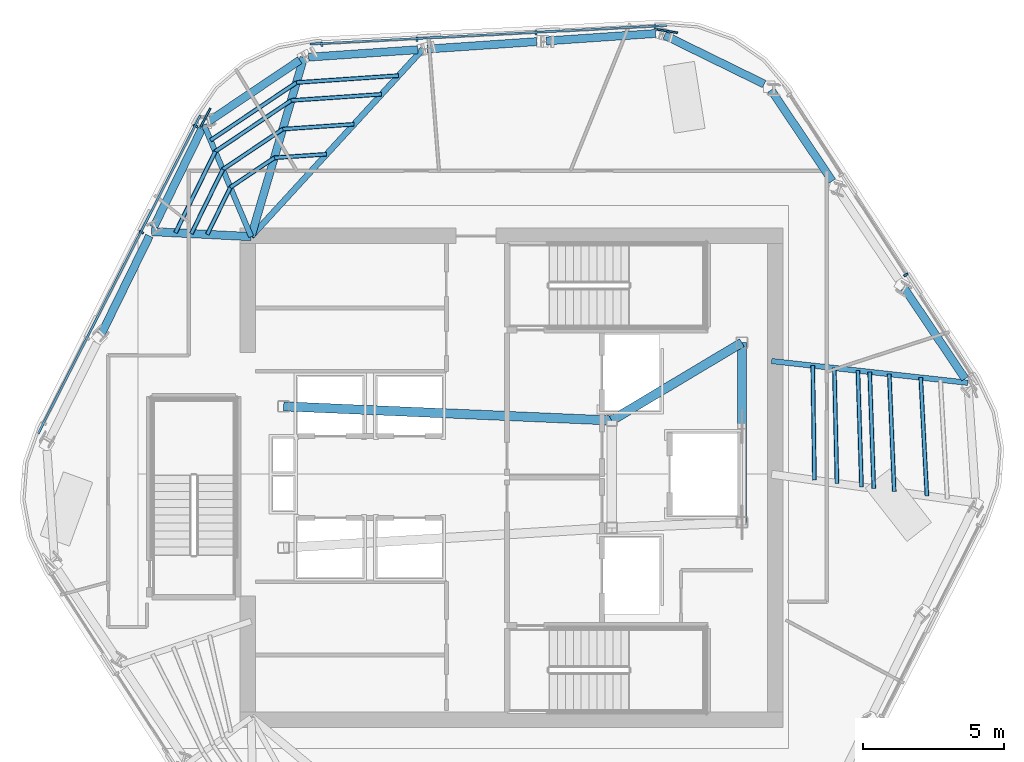
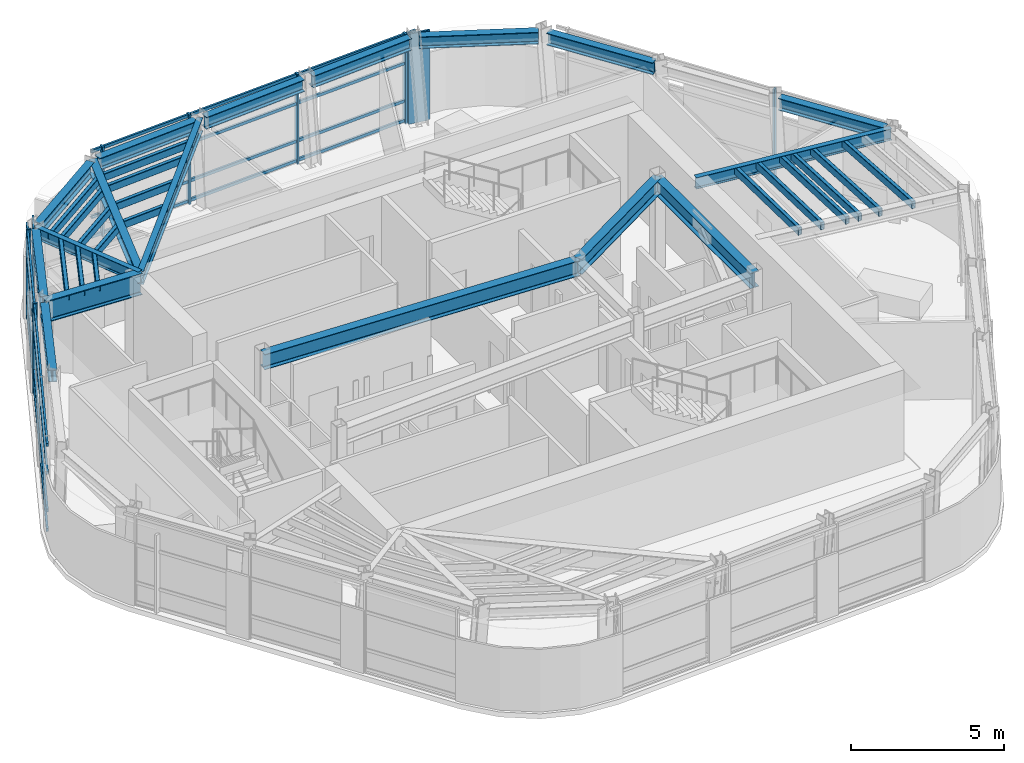
# One storey, part 4 of 13: 34 members, 17 beams, 3 elements without a shape of their own.
"""IFC4 building model written with IfcOpenShell, lengths in metres."""

import ifcopenshell
import ifcopenshell.guid

model = None  # the IFC model being written
_history = None  # IfcOwnerHistory: only IFC2X3 demands one
_inside = {}  # id of a spatial element -> (the spatial element, [elements in it])
_under = {}  # id of a project, library or spatial element -> (it, [spatial elements below it])
_declared = {}  # id of a project -> (the project, [libraries it declares])
_typed = {}  # id of a type object -> (the type object, [elements of that type])
_made_of = {}  # id of a material, layer set ... -> (it, [elements and type objects made of it])


def new_model(schema):
    """Start an empty IFC model of exactly this schema.

    Asked for "IFC4X3", IfcOpenShell would pick the latest addendum, in which some entities
    have other attributes; the version numbers below select the first issue.
    IFC2X3 requires an IfcOwnerHistory on every rooted entity: one is made here for all.
    """
    global model, _history
    if schema == "IFC4X3":
        model = ifcopenshell.file(schema_version=(4, 3, 0, 0))
    else:
        model = ifcopenshell.file(schema=schema)
    _inside.clear()
    _under.clear()
    _declared.clear()
    _typed.clear()
    _made_of.clear()
    _history = None
    if model.schema == "IFC2X3":
        org = make("IfcOrganization", Name="unknown")
        user = make(
            "IfcPersonAndOrganization",
            ThePerson=make("IfcPerson", FamilyName="unknown"),
            TheOrganization=org,
        )
        app = make(
            "IfcApplication",
            ApplicationDeveloper=org,
            Version="unknown",
            ApplicationFullName="unknown",
            ApplicationIdentifier="unknown",
        )
        _history = make(
            "IfcOwnerHistory",
            OwningUser=user,
            OwningApplication=app,
            ChangeAction="ADDED",
            CreationDate=0,
        )
    return model


def make(cls, **values):
    """One entity of the class cls with the attributes given. An attribute that is None is left unset."""
    return model.create_entity(
        cls, **{name: value for name, value in values.items() if value is not None}
    )


def rooted(cls, **values):
    """An entity with a GlobalId (a new one), such as an element, a storey or a relation."""
    return make(cls, GlobalId=ifcopenshell.guid.new(), OwnerHistory=_history, **values)


def si_unit(unit_type, name, prefix=None):
    """IfcSIUnit, for example si_unit("LENGTHUNIT", "METRE", prefix="MILLI")."""
    return make("IfcSIUnit", UnitType=unit_type, Prefix=prefix, Name=name)


def assignment(units):
    """IfcUnitAssignment: the units of a project."""
    return None if units is None else make("IfcUnitAssignment", Units=units)


def point(xyz):
    """IfcCartesianPoint."""
    return None if xyz is None else make("IfcCartesianPoint", Coordinates=xyz)


def direction(xyz):
    """IfcDirection."""
    return None if xyz is None else make("IfcDirection", DirectionRatios=xyz)


def frame(location, z_axis=None, x_axis=None):
    """IfcAxis2Placement3D, a coordinate frame: its origin and axes. An axis left out is left unset."""
    return make(
        "IfcAxis2Placement3D",
        Location=point(location),
        Axis=direction(z_axis),
        RefDirection=direction(x_axis),
    )


def frame_2d(location, x_axis=None):
    """IfcAxis2Placement2D, a coordinate frame in the plane: its origin and x axis."""
    return make(
        "IfcAxis2Placement2D", Location=point(location), RefDirection=direction(x_axis)
    )


def origin():
    """The frame at (0, 0, 0) with its axes left unset."""
    return frame((0.0, 0.0, 0.0))


def origin_2d():
    """The frame at (0, 0) in the plane with its x axis left unset."""
    return frame_2d((0.0, 0.0))


def place(relative_to, where):
    """IfcLocalPlacement: puts the frame where relative to a parent placement (None: the world)."""
    return make(
        "IfcLocalPlacement", PlacementRelTo=relative_to, RelativePlacement=where
    )


def context(
    kind, dimensions, precision=None, world=None, true_north=None, identifier=None
):
    """IfcGeometricRepresentationContext, for example the 3D "Model" context."""
    return make(
        "IfcGeometricRepresentationContext",
        ContextIdentifier=identifier,
        ContextType=kind,
        CoordinateSpaceDimension=dimensions,
        Precision=precision,
        WorldCoordinateSystem=world,
        TrueNorth=true_north,
    )


def subcontext(parent, identifier, kind, view, scale=None):
    """IfcGeometricRepresentationSubContext, for example "Body" below "Model"."""
    return make(
        "IfcGeometricRepresentationSubContext",
        ContextIdentifier=identifier,
        ContextType=kind,
        ParentContext=parent,
        TargetScale=scale,
        TargetView=view,
    )


def project(units=None, contexts=None):
    """IfcProject with its units and contexts."""
    return rooted(
        "IfcProject",
        Name="project",
        RepresentationContexts=contexts,
        UnitsInContext=assignment(units),
    )


def spatial(cls, under=None, at=None, **own):
    """A site, building, storey or space (cls), placed at a placement, below another one or the project."""
    s = rooted(cls, ObjectPlacement=at, **own)
    if under is not None:
        _under.setdefault(under.id(), (under, []))[1].append(s)
    return s


def profile(cls, at=None, kind="AREA", **sizes):
    """A parametric profile (cls). Its sizes go by their IFC names, for example OverallWidth=200.0."""
    return make(cls, ProfileType=kind, Position=at, **sizes)


def rectangle(**sizes):
    """IfcRectangleProfileDef."""
    return profile("IfcRectangleProfileDef", **sizes)


def hollow_rectangle(**sizes):
    """IfcRectangleHollowProfileDef."""
    return profile("IfcRectangleHollowProfileDef", **sizes)


def i_section(**sizes):
    """IfcIShapeProfileDef."""
    return profile("IfcIShapeProfileDef", **sizes)


def extrude(swept, where, along, depth):
    """IfcExtrudedAreaSolid: the profile swept, set in the frame where, extruded along a direction by depth."""
    return make(
        "IfcExtrudedAreaSolid",
        SweptArea=swept,
        Position=where,
        ExtrudedDirection=direction(along),
        Depth=depth,
    )


def shape(context_of_items, identifier, shape_type, items):
    """IfcShapeRepresentation: the items that make up one representation, for example the "Body"."""
    return make(
        "IfcShapeRepresentation",
        ContextOfItems=context_of_items,
        RepresentationIdentifier=identifier,
        RepresentationType=shape_type,
        Items=items,
    )


def material(Name=None, Category=None):
    """IfcMaterial."""
    return make("IfcMaterial", Name=Name, Category=Category)


def layer(
    of_material, thickness, ventilated=None, Name=None, Category=None, Priority=None
):
    """IfcMaterialLayer: one layer of a wall or slab, of a material (None: an air gap)."""
    return make(
        "IfcMaterialLayer",
        Material=of_material,
        LayerThickness=thickness,
        IsVentilated=ventilated,
        Name=Name,
        Category=Category,
        Priority=Priority,
    )


def layer_set(layers, Name=None):
    """IfcMaterialLayerSet."""
    return make("IfcMaterialLayerSet", MaterialLayers=layers, LayerSetName=Name)


def material_profile(
    of_material, cross_section, Name=None, Category=None, Priority=None
):
    """IfcMaterialProfile: a cross section and its material."""
    return make(
        "IfcMaterialProfile",
        Name=Name,
        Material=of_material,
        Profile=cross_section,
        Priority=Priority,
        Category=Category,
    )


def profile_set(profiles, Name=None, composite=None):
    """IfcMaterialProfileSet."""
    return make(
        "IfcMaterialProfileSet",
        Name=Name,
        MaterialProfiles=profiles,
        CompositeProfile=composite,
    )


def made_of(thing, what):
    """Note that an element or type object is made of a material, layer set ...; save() writes the relation."""
    if what is not None:
        _made_of.setdefault(what.id(), (what, []))[1].append(thing)
    return thing


def type_object(cls, material=None, **own):
    """A type object (cls), such as IfcWallType, which elements share."""
    return made_of(rooted(cls, **own), material)


def element(
    cls,
    number,
    at=None,
    inside=None,
    cuts=None,
    type_object=None,
    material=None,
    context=None,
    identifier="Body",
    shape_type=None,
    held_by="IfcProductDefinitionShape",
    body=None,
    shapes=None,
    **own,
):
    """One element of the class cls, such as IfcWall. Its Tag is "e" and its number.

    at: its placement. inside: the storey or other place that contains it. cuts: it is an
    opening in that element (IfcRelVoidsElement). A single representation is given by context,
    identifier, shape_type and body (its items); several are given by shapes. held_by: the class
    of the entity that holds the representations. save() writes the other relations.
    """
    e = rooted(cls, Tag="e%d" % number, ObjectPlacement=at, **own)
    if body is not None:
        shapes = [shape(context, identifier, shape_type, body)]
    if shapes is not None:
        e.Representation = make(held_by, Representations=shapes)
    if inside is not None:
        _inside.setdefault(inside.id(), (inside, []))[1].append(e)
    if cuts is not None:
        rooted(
            "IfcRelVoidsElement", RelatingBuildingElement=cuts, RelatedOpeningElement=e
        )
    if type_object is not None:
        _typed.setdefault(type_object.id(), (type_object, []))[1].append(e)
    return made_of(e, material)


def aggregate(whole, parts):
    """IfcRelAggregates: a whole, such as a stair, and the parts it consists of."""
    return rooted("IfcRelAggregates", RelatingObject=whole, RelatedObjects=parts)


def save(model, path):
    """Write the relations noted so far, then the file.

    IfcRelAggregates (storeys below a building ...), IfcRelContainedInSpatialStructure (elements
    in a storey), IfcRelDefinesByType, IfcRelAssociatesMaterial and IfcRelDeclares: one each for
    every whole, place, type object, material and project.
    """
    for whole, parts in _under.values():
        aggregate(whole, parts)
    for where, things in _inside.values():
        rooted(
            "IfcRelContainedInSpatialStructure",
            RelatedElements=things,
            RelatingStructure=where,
        )
    for kind, things in _typed.values():
        rooted("IfcRelDefinesByType", RelatedObjects=things, RelatingType=kind)
    for what, things in _made_of.values():
        rooted("IfcRelAssociatesMaterial", RelatedObjects=things, RelatingMaterial=what)
    for by, libraries in _declared.values():
        rooted("IfcRelDeclares", RelatingContext=by, RelatedDefinitions=libraries)
    model.write(path)


model = new_model("IFC4")

# Units and contexts
model_context = context("Model", 3, precision=1e-05, world=origin(), true_north=direction((0.0, 1.0)))
body_context = subcontext(model_context, "Body", "Model", "MODEL_VIEW")
ifc_project = project(units=[si_unit("LENGTHUNIT", "METRE"), si_unit("AREAUNIT", "SQUARE_METRE"), si_unit("VOLUMEUNIT", "CUBIC_METRE"), si_unit("PLANEANGLEUNIT", "RADIAN"), si_unit("MASSUNIT", "GRAM", prefix="KILO")], contexts=[model_context])

# Site, building, storey
site_placement = place(None, origin())
site = spatial("IfcSite", under=ifc_project, at=site_placement, CompositionType="ELEMENT")
building_placement = place(site_placement, origin())
building = spatial("IfcBuilding", under=site, at=building_placement, Name="Valkerne Bourse Tower", CompositionType="ELEMENT")
storey_placement = place(building_placement, frame((0.0, 0.0, 296.39990234375)))
storey = spatial("IfcBuildingStorey", under=building, at=storey_placement, Name="L75", CompositionType="ELEMENT", Elevation=296.39990234375)

# Beams
ifc_material_1 = material(Name="Steel ASTM A992", Category="steel")
ifc_material_profile_1 = material_profile(ifc_material_1, i_section(OverallWidth=0.284423828125, OverallDepth=0.47509765625, WebThickness=0.014892578125, FlangeThickness=0.02392578125, FilletRadius=0.017822265625, at=origin_2d()), Name="W18X106")
ifc_profile_set_1 = profile_set([ifc_material_profile_1], Name="Steel ASTM A992")
beam_type_1 = type_object("IfcBeamType", Name="BM-W18X106", PredefinedType="BEAM", material=ifc_profile_set_1)
beam_1_placement = place(storey_placement, frame((51.89990234375, 42.581787109375, 3.362548828125), z_axis=(-0.997682719983, -0.06803815288, 0.0), x_axis=(0.06803815288, -0.997682719983, 0.0)))
element("IfcBeam", 1, at=beam_1_placement, inside=storey, type_object=beam_type_1, Name="L75 Hexagonal Spandrel Ring Beam 00", PredefinedType="BEAM", context=body_context, shape_type="SweptSolid", body=[
    extrude(i_section(OverallWidth=0.284423828125, OverallDepth=0.47509765625, WebThickness=0.014892578125, FlangeThickness=0.02392578125, FilletRadius=0.017822265625, at=origin_2d()), origin(), (0.0, 0.0, 1.0), 3.871826171875),
])
for number, where, z_axis, x_axis, name in (
    (2, (47.69775390625, 42.295166015625, 3.362548828125), (-0.997687289682, -0.067971111564, 0.0), (0.067971111564, -0.997687289682, 0.0), "L75 Hexagonal Spandrel Ring Beam 01"),
    (3, (43.49560546875, 42.0087890625, 3.362548828125), (-0.997683011857, -0.06803387283, 0.0), (0.06803387283, -0.997683011857, 0.0), "L75 Hexagonal Spandrel Ring Beam 02"),
):
    element("IfcBeam", number, at=place(storey_placement, frame(where, z_axis=z_axis, x_axis=x_axis)), inside=storey, type_object=beam_type_1, Name=name, PredefinedType="BEAM", context=body_context, shape_type="SweptSolid", body=[
        extrude(i_section(OverallWidth=0.284423828125, OverallDepth=0.47509765625, WebThickness=0.014892578125, FlangeThickness=0.02392578125, FilletRadius=0.017822265625, at=origin_2d()), origin(), (0.0, 0.0, 1.0), 3.8720703125),
    ])
beam_2_placement = place(storey_placement, frame((39.32177734375, 41.638916015625, 3.362548828125), z_axis=(-0.830020735622, -0.557732533063, 0.0), x_axis=(0.557732533063, -0.830020735622, 0.0)))
element("IfcBeam", 4, at=beam_2_placement, inside=storey, type_object=beam_type_1, Name="L75 Hexagonal Spandrel Ring Beam 03", PredefinedType="BEAM", context=body_context, shape_type="SweptSolid", body=[
    extrude(i_section(OverallWidth=0.284423828125, OverallDepth=0.47509765625, WebThickness=0.014892578125, FlangeThickness=0.02392578125, FilletRadius=0.017822265625, at=origin_2d()), origin(), (0.0, 0.0, 1.0), 3.91552734375),
])
for number, where, z_axis, x_axis, name in (
    (5, (35.855712890625, 39.20751953125, 3.362548828125), (-0.439934908185, -0.898029663519, 0.0), (0.898029663519, -0.439934908185, 0.0), "L75 Hexagonal Spandrel Ring Beam 04"),
    (6, (34.002685546875, 35.425048828125, 3.362548828125), (-0.439934908185, -0.898029663519, 0.0), (0.898029663519, -0.439934908185, 0.0), "L75 Hexagonal Spandrel Ring Beam 05"),
):
    element("IfcBeam", number, at=place(storey_placement, frame(where, z_axis=z_axis, x_axis=x_axis)), inside=storey, type_object=beam_type_1, Name=name, PredefinedType="BEAM", context=body_context, shape_type="SweptSolid", body=[
        extrude(i_section(OverallWidth=0.284423828125, OverallDepth=0.47509765625, WebThickness=0.014892578125, FlangeThickness=0.02392578125, FilletRadius=0.017822265625, at=origin_2d()), origin(), (0.0, 0.0, 1.0), 3.871826171875),
    ])
beam_3_placement = place(storey_placement, frame((62.84423828125, 30.3740234375, 3.362548828125), z_axis=(-0.557752020071, 0.830007640993, 0.0), x_axis=(-0.830007640993, -0.557752020071, 0.0)))
element("IfcBeam", 7, at=beam_3_placement, inside=storey, type_object=beam_type_1, Name="L75 Hexagonal Spandrel Ring Beam 20", PredefinedType="BEAM", context=body_context, shape_type="SweptSolid", body=[
    extrude(i_section(OverallWidth=0.284423828125, OverallDepth=0.47509765625, WebThickness=0.014892578125, FlangeThickness=0.02392578125, FilletRadius=0.017822265625, at=origin_2d()), origin(), (0.0, 0.0, 1.0), 3.8720703125),
])
beam_4_placement = place(storey_placement, frame((58.145751953125, 37.3662109375, 3.362548828125), z_axis=(-0.557781210136, 0.829988024985, 0.0), x_axis=(-0.829988024985, -0.557781210136, 0.0)))
element("IfcBeam", 8, at=beam_4_placement, inside=storey, type_object=beam_type_1, Name="L75 Hexagonal Spandrel Ring Beam 22", PredefinedType="BEAM", context=body_context, shape_type="SweptSolid", body=[
    extrude(i_section(OverallWidth=0.284423828125, OverallDepth=0.47509765625, WebThickness=0.014892578125, FlangeThickness=0.02392578125, FilletRadius=0.017822265625, at=origin_2d()), origin(), (0.0, 0.0, 1.0), 3.871826171875),
])
beam_5_placement = place(storey_placement, frame((55.738525390625, 40.7958984375, 3.362548828125), z_axis=(-0.898014445156, 0.439965971742, 0.0), x_axis=(-0.439965971742, -0.898014445156, 0.0)))
element("IfcBeam", 9, at=beam_5_placement, inside=storey, type_object=beam_type_1, Name="L75 Hexagonal Spandrel Ring Beam 23", PredefinedType="BEAM", context=body_context, shape_type="SweptSolid", body=[
    extrude(i_section(OverallWidth=0.284423828125, OverallDepth=0.47509765625, WebThickness=0.014892578125, FlangeThickness=0.02392578125, FilletRadius=0.017822265625, at=origin_2d()), origin(), (0.0, 0.0, 1.0), 3.91552734375),
])
ifc_material_profile_2 = material_profile(ifc_material_1, i_section(OverallWidth=0.1904296875, OverallDepth=0.457275390625, WebThickness=0.009033203125, FlangeThickness=0.014404296875, FilletRadius=0.01513671875, at=origin_2d()), Name="W18X50")
ifc_profile_set_2 = profile_set([ifc_material_profile_2], Name="Steel ASTM A992")
beam_type_2 = type_object("IfcBeamType", Name="BM-W18X50", PredefinedType="JOIST", material=ifc_profile_set_2)
beam_6_placement = place(storey_placement, frame((35.9306640625, 39.3603515625, 3.37158203125), z_axis=(0.388427733598, -0.921479189006, 0.0), x_axis=(0.921479189006, 0.388427733598, 0.0)))
element("IfcBeam", 10, at=beam_6_placement, inside=storey, type_object=beam_type_2, Name="L75 Radial Composite Floor Beam 04", PredefinedType="JOIST", context=body_context, shape_type="SweptSolid", body=[
    extrude(i_section(OverallWidth=0.1904296875, OverallDepth=0.457275390625, WebThickness=0.009033203125, FlangeThickness=0.014404296875, FilletRadius=0.01513671875, at=origin_2d()), origin(), (0.0, 0.0, 1.0), 4.2978515625),
])
beam_7_placement = place(storey_placement, frame((62.93896484375, 30.23291015625, 3.37158203125), z_axis=(-0.993944993429, 0.109878797036, 0.0), x_axis=(-0.109878797036, -0.993944993429, 0.0)))
element("IfcBeam", 11, at=beam_7_placement, inside=storey, type_object=beam_type_2, Name="L75 Radial Composite Floor Beam 20", PredefinedType="JOIST", context=body_context, shape_type="SweptSolid", body=[
    extrude(i_section(OverallWidth=0.1904296875, OverallDepth=0.457275390625, WebThickness=0.009033203125, FlangeThickness=0.014404296875, FilletRadius=0.01513671875, at=origin_2d()), origin(), (0.0, 0.0, 1.0), 6.981201171875),
])
ifc_material_profile_3 = material_profile(ifc_material_1, i_section(OverallWidth=0.279296875, OverallDepth=0.46240234375, WebThickness=0.0107421875, FlangeThickness=0.017333984375, FilletRadius=0.017822265625, at=origin_2d()), Name="W18X76")
ifc_profile_set_3 = profile_set([ifc_material_profile_3], Name="Steel ASTM A992")
beam_type_3 = type_object("IfcBeamType", Name="BM-W18X76", PredefinedType="BEAM", material=ifc_profile_set_3)
beam_8_placement = place(storey_placement, frame((39.462890625, 41.73388671875, 3.368896484375), z_axis=(-0.282146303698, -0.959371389666, 0.0), x_axis=(0.959371389666, -0.282146303698, 0.0)))
element("IfcBeam", 12, at=beam_8_placement, inside=storey, type_object=beam_type_3, Name="L75 Radial Composite Floor Beam 03", PredefinedType="BEAM", context=body_context, shape_type="SweptSolid", body=[
    extrude(i_section(OverallWidth=0.279296875, OverallDepth=0.46240234375, WebThickness=0.0107421875, FlangeThickness=0.017333984375, FilletRadius=0.017822265625, at=origin_2d()), origin(), (0.0, 0.0, 1.0), 6.602294921875),
])
ifc_material_profile_4 = material_profile(ifc_material_1, i_section(OverallWidth=0.209228515625, OverallDepth=0.533447265625, WebThickness=0.01025390625, FlangeThickness=0.015625, FilletRadius=0.017822265625, at=origin_2d()), Name="W21X62")
ifc_profile_set_4 = profile_set([ifc_material_profile_4], Name="Steel ASTM A992")
beam_type_4 = type_object("IfcBeamType", Name="BM-W21X62", PredefinedType="JOIST", material=ifc_profile_set_4)
beam_9_placement = place(storey_placement, frame((43.6650390625, 42.020263671875, 3.33349609375), z_axis=(-0.675499263955, -0.737360661004, 0.0), x_axis=(0.737360661004, -0.675499263955, 0.0)))
element("IfcBeam", 13, at=beam_9_placement, inside=storey, type_object=beam_type_4, Name="L75 Radial Composite Floor Beam 02", PredefinedType="JOIST", context=body_context, shape_type="SweptSolid", body=[
    extrude(i_section(OverallWidth=0.209228515625, OverallDepth=0.533447265625, WebThickness=0.01025390625, FlangeThickness=0.015625, FilletRadius=0.017822265625, at=origin_2d()), origin(), (0.0, 0.0, 1.0), 8.978515625),
])
ifc_material_profile_5 = material_profile(ifc_material_1, i_section(OverallWidth=0.3251953125, OverallDepth=0.612060546875, WebThickness=0.0126953125, FlangeThickness=0.01904296875, FilletRadius=0.020263671875, at=origin_2d()), Name="W24X104")
ifc_profile_set_5 = profile_set([ifc_material_profile_5], Name="Steel ASTM A992")
beam_type_5 = type_object("IfcBeamType", Name="BM-W24X104", PredefinedType="BEAM", material=ifc_profile_set_5)
beam_10_placement = place(storey_placement, frame((50.35009765625, 28.89990234375, 3.2939453125), z_axis=(0.858307823492, 0.513135148019, 0.0), x_axis=(-0.513135148019, 0.858307823492, 0.0)))
element("IfcBeam", 14, at=beam_10_placement, inside=storey, type_object=beam_type_5, Name="L75 Core Frame Girder CG-NE", PredefinedType="BEAM", context=body_context, shape_type="SweptSolid", body=[
    extrude(i_section(OverallWidth=0.3251953125, OverallDepth=0.612060546875, WebThickness=0.0126953125, FlangeThickness=0.01904296875, FilletRadius=0.020263671875, at=origin_2d()), origin(), (0.0, 0.0, 1.0), 5.359130859375),
])
beam_11_placement = place(storey_placement, frame((54.949951171875, 25.300048828125, 3.2939453125), z_axis=(0.0, 1.0, 0.0), x_axis=(-1.0, 0.0, 0.0)))
element("IfcBeam", 15, at=beam_11_placement, inside=storey, type_object=beam_type_5, Name="L75 Core Frame Girder CG-EE", PredefinedType="BEAM", context=body_context, shape_type="SweptSolid", body=[
    extrude(i_section(OverallWidth=0.3251953125, OverallDepth=0.612060546875, WebThickness=0.0126953125, FlangeThickness=0.01904296875, FilletRadius=0.020263671875, at=origin_2d()), origin(), (0.0, 0.0, 1.0), 6.349853515625),
])
beam_12_placement = place(storey_placement, frame((38.75, 29.39990234375, 3.2939453125), z_axis=(0.999072354402, -0.043063101019, 0.0), x_axis=(0.043063101019, 0.999072354402, 0.0)))
element("IfcBeam", 16, at=beam_12_placement, inside=storey, type_object=beam_type_5, Name="L75 Core Frame Girder CG-NW", PredefinedType="BEAM", context=body_context, shape_type="SweptSolid", body=[
    extrude(i_section(OverallWidth=0.3251953125, OverallDepth=0.612060546875, WebThickness=0.0126953125, FlangeThickness=0.01904296875, FilletRadius=0.020263671875, at=origin_2d()), origin(), (0.0, 0.0, 1.0), 11.61083984375),
])
ifc_material_profile_6 = material_profile(ifc_material_1, i_section(OverallWidth=0.2919921875, OverallDepth=0.8583984375, WebThickness=0.01708984375, FlangeThickness=0.031005859375, FilletRadius=0.025390625, at=origin_2d()), Name="W33X169")
ifc_profile_set_6 = profile_set([ifc_material_profile_6], Name="Steel ASTM A992")
beam_type_6 = type_object("IfcBeamType", Name="BM-W33X169", PredefinedType="BEAM", material=ifc_profile_set_6)
beam_13_placement = place(storey_placement, frame((34.07763671875, 35.577880859375, 3.1708984375), z_axis=(0.998725962489, -0.050462380555, 0.0), x_axis=(0.050462380555, 0.998725962489, 0.0)))
element("IfcBeam", 17, at=beam_13_placement, inside=storey, type_object=beam_type_6, Name="L75 Radial Composite Floor Beam 05", PredefinedType="BEAM", context=body_context, shape_type="SweptSolid", body=[
    extrude(i_section(OverallWidth=0.2919921875, OverallDepth=0.8583984375, WebThickness=0.01708984375, FlangeThickness=0.031005859375, FilletRadius=0.025390625, at=origin_2d()), origin(), (0.0, 0.0, 1.0), 3.52685546875),
])

# Curtain wall, members
ifc_material_2 = material(Name="Aluminium AA 6063-T6", Category="aluminium")
ifc_layer = layer(ifc_material_2, 0.2451171875)
ifc_layer_set = layer_set([ifc_layer], Name="Aluminium AA 6063-T6")
curtain_wall_type = type_object("IfcCurtainWallType", Name="CW-05", PredefinedType="NOTDEFINED", material=ifc_layer_set)
curtain_wall_1_placement = place(storey_placement, origin())
curtain_wall_1 = element("IfcCurtainWall", 18, at=curtain_wall_1_placement, inside=storey, type_object=curtain_wall_type, Name="L75 Hexagonal Stick Curtain Wall Face 1", PredefinedType="NOTDEFINED")
ifc_material_profile_7 = material_profile(ifc_material_2, rectangle(XDim=0.074951171875, YDim=0.159912109375, at=origin_2d()), Name="CWM-75X160")
ifc_profile_set_7 = profile_set([ifc_material_profile_7], Name="Aluminium AA 6063-T6")
member_type_1 = type_object("IfcMemberType", Name="CW-MUL-160X75", PredefinedType="MULLION", material=ifc_profile_set_7)
member_1_placement = place(storey_placement, frame((51.876708984375, 42.826171875, 0.0), z_axis=(0.0, 0.0, 1.0), x_axis=(-0.998628760371, -0.052350730263, 0.0)))
member_1 = element("IfcMember", 19, at=member_1_placement, type_object=member_type_1, Name="CW-L75-F1 Jamb Mullion 00A", PredefinedType="MULLION", context=body_context, shape_type="SweptSolid", body=[
    extrude(rectangle(XDim=0.074951171875, YDim=0.159912109375, at=origin_2d()), origin(), (0.0, 0.0, 1.0), 3.60009765625),
])
member_2_placement = place(storey_placement, frame((47.67041015625, 42.605712890625, 0.0), z_axis=(0.0, 0.0, 1.0), x_axis=(-0.998630066296, -0.05232581285, 0.0)))
member_2 = element("IfcMember", 20, at=member_2_placement, type_object=member_type_1, Name="CW-L75-F1 Jamb Mullion 01A", PredefinedType="MULLION", context=body_context, shape_type="SweptSolid", body=[
    extrude(rectangle(XDim=0.074951171875, YDim=0.159912109375, at=origin_2d()), origin(), (0.0, 0.0, 1.0), 3.60009765625),
])
member_3_placement = place(storey_placement, frame((43.464111328125, 42.38525390625, 0.0), z_axis=(0.0, 0.0, 1.0), x_axis=(-0.99863000129, -0.052327053456, 0.0)))
member_3 = element("IfcMember", 21, at=member_3_placement, type_object=member_type_1, Name="CW-L75-F1 Jamb Mullion 02A", PredefinedType="MULLION", context=body_context, shape_type="SweptSolid", body=[
    extrude(rectangle(XDim=0.074951171875, YDim=0.159912109375, at=origin_2d()), origin(), (0.0, 0.0, 1.0), 3.60009765625),
])
member_4_placement = place(storey_placement, frame((40.0966796875, 42.208740234375, 0.0), z_axis=(0.0, 0.0, 1.0), x_axis=(-0.99863000129, -0.052327053456, 0.0)))
member_4 = element("IfcMember", 22, at=member_4_placement, type_object=member_type_1, Name="CW-L75-F1 Jamb Mullion 02B", PredefinedType="MULLION", context=body_context, shape_type="SweptSolid", body=[
    extrude(rectangle(XDim=0.074951171875, YDim=0.159912109375, at=origin_2d()), origin(), (0.0, 0.0, 1.0), 3.60009765625),
])

curtain_wall_2_placement = place(storey_placement, origin())
curtain_wall_2 = element("IfcCurtainWall", 23, at=curtain_wall_2_placement, inside=storey, type_object=curtain_wall_type, Name="L75 Hexagonal Stick Curtain Wall Face 2", PredefinedType="NOTDEFINED")
member_5_placement = place(storey_placement, frame((35.632568359375, 39.3095703125, 0.0), z_axis=(0.0, 0.0, 1.0), x_axis=(-0.453981261925, -0.89101123103, 0.0)))
member_5 = element("IfcMember", 24, at=member_5_placement, type_object=member_type_1, Name="CW-L75-F2 Jamb Mullion 00A", PredefinedType="MULLION", context=body_context, shape_type="SweptSolid", body=[
    extrude(rectangle(XDim=0.074951171875, YDim=0.159912109375, at=origin_2d()), origin(), (0.0, 0.0, 1.0), 3.60009765625),
])
member_6_placement = place(storey_placement, frame((33.72021484375, 35.556640625, 0.0), z_axis=(0.0, 0.0, 1.0), x_axis=(-0.453990865515, -0.891006337817, 0.0)))
member_6 = element("IfcMember", 25, at=member_6_placement, type_object=member_type_1, Name="CW-L75-F2 Jamb Mullion 01A", PredefinedType="MULLION", context=body_context, shape_type="SweptSolid", body=[
    extrude(rectangle(XDim=0.074951171875, YDim=0.159912109375, at=origin_2d()), origin(), (0.0, 0.0, 1.0), 3.60009765625),
])

# Curtain wall, member
curtain_wall_3_placement = place(storey_placement, origin())
curtain_wall_3 = element("IfcCurtainWall", 26, at=curtain_wall_3_placement, inside=storey, type_object=curtain_wall_type, Name="L75 Hexagonal Stick Curtain Wall Face 6", PredefinedType="NOTDEFINED")
member_7_placement = place(storey_placement, frame((60.750244140625, 34.049072265625, 0.0), z_axis=(0.0, 0.0, 1.0), x_axis=(-0.544650336291, 0.838663228703, 0.0)))
member_7 = element("IfcMember", 27, at=member_7_placement, type_object=member_type_1, Name="CW-L75-F6 Jamb Mullion 01A", PredefinedType="MULLION", context=body_context, shape_type="SweptSolid", body=[
    extrude(rectangle(XDim=0.074951171875, YDim=0.159912109375, at=origin_2d()), origin(), (0.0, 0.0, 1.0), 3.60009765625),
])
aggregate(curtain_wall_3, [member_7])

# Member
ifc_material_profile_8 = material_profile(ifc_material_2, rectangle(XDim=0.074951171875, YDim=0.1201171875, at=origin_2d()), Name="CWT-75X120")
ifc_profile_set_8 = profile_set([ifc_material_profile_8], Name="Aluminium AA 6063-T6")
member_type_2 = type_object("IfcMemberType", Name="CW-TRN-120X75", PredefinedType="USERDEFINED", material=ifc_profile_set_8)
member_8_placement = place(storey_placement, frame((52.295166015625, 42.8681640625, 0.1201171875), z_axis=(-0.998629280758, -0.052340802569, 0.0), x_axis=(0.052340802569, -0.998629280758, 0.0)))
member_8 = element("IfcMember", 28, at=member_8_placement, type_object=member_type_2, Name="CW-L75-F1 Continuous Face Transom 1", ObjectType="TRANSOM", PredefinedType="USERDEFINED", context=body_context, shape_type="SweptSolid", body=[
    extrude(rectangle(XDim=0.074951171875, YDim=0.1201171875, at=origin_2d()), origin(), (0.0, 0.0, 1.0), 12.635986328125),
])

member_9_placement = place(storey_placement, frame((52.295166015625, 42.8681640625, 0.900146484375), z_axis=(-0.998629280758, -0.052340802569, 0.0), x_axis=(0.052340802569, -0.998629280758, 0.0)))
member_9 = element("IfcMember", 29, at=member_9_placement, type_object=member_type_2, Name="CW-L75-F1 Continuous Face Transom 2", ObjectType="TRANSOM", PredefinedType="USERDEFINED", context=body_context, shape_type="SweptSolid", body=[
    extrude(rectangle(XDim=0.074951171875, YDim=0.1201171875, at=origin_2d()), origin(), (0.0, 0.0, 1.0), 12.635986328125),
])

member_10_placement = place(storey_placement, frame((52.295166015625, 42.8681640625, 2.400146484375), z_axis=(-0.998629280758, -0.052340802569, 0.0), x_axis=(0.052340802569, -0.998629280758, 0.0)))
member_10 = element("IfcMember", 30, at=member_10_placement, type_object=member_type_2, Name="CW-L75-F1 Continuous Face Transom 3", ObjectType="TRANSOM", PredefinedType="USERDEFINED", context=body_context, shape_type="SweptSolid", body=[
    extrude(rectangle(XDim=0.074951171875, YDim=0.1201171875, at=origin_2d()), origin(), (0.0, 0.0, 1.0), 12.635986328125),
])

member_11_placement = place(storey_placement, frame((52.295166015625, 42.8681640625, 3.52001953125), z_axis=(-0.998629280758, -0.052340802569, 0.0), x_axis=(0.052340802569, -0.998629280758, 0.0)))
member_11 = element("IfcMember", 31, at=member_11_placement, type_object=member_type_2, Name="CW-L75-F1 Continuous Face Transom 4", ObjectType="TRANSOM", PredefinedType="USERDEFINED", context=body_context, shape_type="SweptSolid", body=[
    extrude(rectangle(XDim=0.074951171875, YDim=0.1201171875, at=origin_2d()), origin(), (0.0, 0.0, 1.0), 12.635986328125),
])

aggregate(curtain_wall_1, [member_8, member_9, member_10, member_11, member_1, member_2, member_3, member_4])

member_12_placement = place(storey_placement, frame((35.805419921875, 39.69287109375, 0.1201171875), z_axis=(-0.454001610608, -0.891000862831, 0.0), x_axis=(0.891000862831, -0.454001610608, 0.0)))
member_12 = element("IfcMember", 32, at=member_12_placement, type_object=member_type_2, Name="CW-L75-F2 Continuous Face Transom 1", ObjectType="TRANSOM", PredefinedType="USERDEFINED", context=body_context, shape_type="SweptSolid", body=[
    extrude(rectangle(XDim=0.074951171875, YDim=0.1201171875, at=origin_2d()), origin(), (0.0, 0.0, 1.0), 12.63623046875),
])

member_13_placement = place(storey_placement, frame((35.805419921875, 39.69287109375, 0.900146484375), z_axis=(-0.454001610608, -0.891000862831, 0.0), x_axis=(0.891000862831, -0.454001610608, 0.0)))
member_13 = element("IfcMember", 33, at=member_13_placement, type_object=member_type_2, Name="CW-L75-F2 Continuous Face Transom 2", ObjectType="TRANSOM", PredefinedType="USERDEFINED", context=body_context, shape_type="SweptSolid", body=[
    extrude(rectangle(XDim=0.074951171875, YDim=0.1201171875, at=origin_2d()), origin(), (0.0, 0.0, 1.0), 12.63623046875),
])

member_14_placement = place(storey_placement, frame((35.805419921875, 39.69287109375, 2.400146484375), z_axis=(-0.454001610608, -0.891000862831, 0.0), x_axis=(0.891000862831, -0.454001610608, 0.0)))
member_14 = element("IfcMember", 34, at=member_14_placement, type_object=member_type_2, Name="CW-L75-F2 Continuous Face Transom 3", ObjectType="TRANSOM", PredefinedType="USERDEFINED", context=body_context, shape_type="SweptSolid", body=[
    extrude(rectangle(XDim=0.074951171875, YDim=0.1201171875, at=origin_2d()), origin(), (0.0, 0.0, 1.0), 12.63623046875),
])

member_15_placement = place(storey_placement, frame((35.805419921875, 39.69287109375, 3.52001953125), z_axis=(-0.454001610608, -0.891000862831, 0.0), x_axis=(0.891000862831, -0.454001610608, 0.0)))
member_15 = element("IfcMember", 35, at=member_15_placement, type_object=member_type_2, Name="CW-L75-F2 Continuous Face Transom 4", ObjectType="TRANSOM", PredefinedType="USERDEFINED", context=body_context, shape_type="SweptSolid", body=[
    extrude(rectangle(XDim=0.074951171875, YDim=0.1201171875, at=origin_2d()), origin(), (0.0, 0.0, 1.0), 12.63623046875),
])

aggregate(curtain_wall_2, [member_12, member_13, member_14, member_15, member_5, member_6])

# Members
ifc_material_3 = material(Name="Bronze Anodised Aluminium AA 6063-T6", Category="aluminium")
ifc_material_profile_9 = material_profile(ifc_material_3, rectangle(XDim=0.06494140625, YDim=0.75, at=origin_2d()), Name="FIN-65X750")
ifc_profile_set_9 = profile_set([ifc_material_profile_9], Name="Bronze Anodised Aluminium AA 6063-T6")
member_type_3 = type_object("IfcMemberType", Name="FIN-SOLAR-650", PredefinedType="USERDEFINED", material=ifc_profile_set_9)
for number, where, z_axis, x_axis, name in (
    (36, (52.305419921875, 42.66845703125, 0.004150390625), (0.0, 0.0, 1.0), (0.16737545126, 0.985893228659, 0.0), "L75 Bronze Anodised Solar Fin F1-00"),
    (37, (35.9833984375, 39.60205078125, 0.004150390625), (0.0, 0.0, 1.0), (-0.882145866595, 0.470976294572, 0.0), "L75 Bronze Anodised Solar Fin F2-00"),
):
    element("IfcMember", number, at=place(storey_placement, frame(where, z_axis=z_axis, x_axis=x_axis)), inside=storey, type_object=member_type_3, Name=name, ObjectType="SOLAR_FIN", PredefinedType="USERDEFINED", context=body_context, shape_type="SweptSolid", body=[
        extrude(rectangle(XDim=0.06494140625, YDim=0.75, at=origin_2d()), origin(), (0.0, 0.0, 1.0), 3.592041015625),
    ])
ifc_material_4 = material(Name="Steel ASTM A500 Grade C", Category="steel")
ifc_material_profile_10 = material_profile(ifc_material_4, hollow_rectangle(XDim=0.14990234375, YDim=0.300048828125, WallThickness=0.012451171875, OuterFilletRadius=0.02490234375, at=origin_2d()), Name="HSS300X150X12.5")
ifc_profile_set_10 = profile_set([ifc_material_profile_10], Name="Steel ASTM A500 Grade C")
member_type_4 = type_object("IfcMemberType", Name="MBR-HSS300X150X12.5", PredefinedType="PURLIN", material=ifc_profile_set_10)
member_16_placement = place(storey_placement, frame((58.31298828125, 26.67578125, 3.440185546875), z_axis=(-0.022679267271, 0.99974279234, 0.0), x_axis=(-0.99974279234, -0.022679267271, 0.0)))
element("IfcMember", 38, at=member_16_placement, inside=storey, type_object=member_type_4, Name="L75 Secondary Composite Floor Purlin I-19", PredefinedType="PURLIN", context=body_context, shape_type="SweptSolid", body=[
    extrude(hollow_rectangle(XDim=0.14990234375, YDim=0.300048828125, WallThickness=0.012451171875, OuterFilletRadius=0.02490234375, at=origin_2d()), origin(), (0.0, 0.0, 1.0), 4.079833984375),
])
member_17_placement = place(storey_placement, frame((40.2685546875, 38.31298828125, 3.440185546875), z_axis=(-0.997686739709, -0.067979183638, 0.0), x_axis=(0.067979183638, -0.997686739709, 0.0)))
element("IfcMember", 39, at=member_17_placement, inside=storey, type_object=member_type_4, Name="L75 Secondary Composite Floor Purlin K-02", PredefinedType="PURLIN", context=body_context, shape_type="SweptSolid", body=[
    extrude(hollow_rectangle(XDim=0.14990234375, YDim=0.300048828125, WallThickness=0.012451171875, OuterFilletRadius=0.02490234375, at=origin_2d()), origin(), (0.0, 0.0, 1.0), 1.853271484375),
])
member_18_placement = place(storey_placement, frame((38.419677734375, 38.18701171875, 3.440185546875), z_axis=(-0.829998672485, -0.557765366147, 0.0), x_axis=(0.557765366147, -0.829998672485, 0.0)))
element("IfcMember", 40, at=member_18_placement, inside=storey, type_object=member_type_4, Name="L75 Secondary Composite Floor Purlin K-03", PredefinedType="PURLIN", context=body_context, shape_type="SweptSolid", body=[
    extrude(hollow_rectangle(XDim=0.14990234375, YDim=0.300048828125, WallThickness=0.012451171875, OuterFilletRadius=0.02490234375, at=origin_2d()), origin(), (0.0, 0.0, 1.0), 1.87255859375),
])
member_19_placement = place(storey_placement, frame((36.865478515625, 37.142578125, 3.440185546875), z_axis=(-0.439980192928, -0.898007477603, 0.0), x_axis=(0.898007477603, -0.439980192928, 0.0)))
element("IfcMember", 41, at=member_19_placement, inside=storey, type_object=member_type_4, Name="L75 Secondary Composite Floor Purlin K-04", PredefinedType="PURLIN", context=body_context, shape_type="SweptSolid", body=[
    extrude(hollow_rectangle(XDim=0.14990234375, YDim=0.300048828125, WallThickness=0.012451171875, OuterFilletRadius=0.02490234375, at=origin_2d()), origin(), (0.0, 0.0, 1.0), 1.853271484375),
])
member_20_placement = place(storey_placement, frame((59.180419921875, 26.554443359375, 3.440185546875), z_axis=(-0.030947313838, 0.999521017171, 0.0), x_axis=(-0.999521017171, -0.030947313838, 0.0)))
element("IfcMember", 42, at=member_20_placement, inside=storey, type_object=member_type_4, Name="L75 Secondary Composite Floor Purlin K-19", PredefinedType="PURLIN", context=body_context, shape_type="SweptSolid", body=[
    extrude(hollow_rectangle(XDim=0.14990234375, YDim=0.300048828125, WallThickness=0.012451171875, OuterFilletRadius=0.02490234375, at=origin_2d()), origin(), (0.0, 0.0, 1.0), 4.110107421875),
])
member_21_placement = place(storey_placement, frame((59.6142578125, 26.49365234375, 3.440185546875), z_axis=(-0.035094138599, 0.999384010997, 0.0), x_axis=(-0.999384010997, -0.035094138599, 0.0)))
element("IfcMember", 43, at=member_21_placement, inside=storey, type_object=member_type_4, Name="L75 Secondary Composite Floor Purlin M-19", PredefinedType="PURLIN", context=body_context, shape_type="SweptSolid", body=[
    extrude(hollow_rectangle(XDim=0.14990234375, YDim=0.300048828125, WallThickness=0.012451171875, OuterFilletRadius=0.02490234375, at=origin_2d()), origin(), (0.0, 0.0, 1.0), 4.125244140625),
])
member_22_placement = place(storey_placement, frame((42.20947265625, 40.431396484375, 3.440185546875), z_axis=(-0.997683104447, -0.068032515035, 0.0), x_axis=(0.068032515035, -0.997683104447, 0.0)))
element("IfcMember", 44, at=member_22_placement, inside=storey, type_object=member_type_4, Name="L75 Secondary Composite Floor Purlin O-02", PredefinedType="PURLIN", context=body_context, shape_type="SweptSolid", body=[
    extrude(hollow_rectangle(XDim=0.14990234375, YDim=0.300048828125, WallThickness=0.012451171875, OuterFilletRadius=0.02490234375, at=origin_2d()), origin(), (0.0, 0.0, 1.0), 3.200927734375),
])
member_23_placement = place(storey_placement, frame((39.015869140625, 40.213623046875, 3.440185546875), z_axis=(-0.830047415816, -0.557692825395, 0.0), x_axis=(0.557692825395, -0.830047415816, 0.0)))
element("IfcMember", 45, at=member_23_placement, inside=storey, type_object=member_type_4, Name="L75 Secondary Composite Floor Purlin O-03", PredefinedType="PURLIN", context=body_context, shape_type="SweptSolid", body=[
    extrude(hollow_rectangle(XDim=0.14990234375, YDim=0.300048828125, WallThickness=0.012451171875, OuterFilletRadius=0.02490234375, at=origin_2d()), origin(), (0.0, 0.0, 1.0), 3.234130859375),
])
member_24_placement = place(storey_placement, frame((36.331298828125, 38.409912109375, 3.440185546875), z_axis=(-0.43990761852, -0.898043031913, 0.0), x_axis=(0.898043031913, -0.43990761852, 0.0)))
element("IfcMember", 46, at=member_24_placement, inside=storey, type_object=member_type_4, Name="L75 Secondary Composite Floor Purlin O-04", PredefinedType="PURLIN", context=body_context, shape_type="SweptSolid", body=[
    extrude(hollow_rectangle(XDim=0.14990234375, YDim=0.300048828125, WallThickness=0.012451171875, OuterFilletRadius=0.02490234375, at=origin_2d()), origin(), (0.0, 0.0, 1.0), 3.201171875),
])
member_25_placement = place(storey_placement, frame((61.49365234375, 26.230224609375, 3.440185546875), z_axis=(-0.052467141439, 0.998622650989, 0.0), x_axis=(-0.998622650989, -0.052467141439, 0.0)))
element("IfcMember", 47, at=member_25_placement, inside=storey, type_object=member_type_4, Name="L75 Secondary Composite Floor Purlin O-19", PredefinedType="PURLIN", context=body_context, shape_type="SweptSolid", body=[
    extrude(hollow_rectangle(XDim=0.14990234375, YDim=0.300048828125, WallThickness=0.012451171875, OuterFilletRadius=0.02490234375, at=origin_2d()), origin(), (0.0, 0.0, 1.0), 4.192626953125),
])
member_26_placement = place(storey_placement, frame((41.239013671875, 39.372314453125, 3.440185546875), z_axis=(-0.997677877619, -0.06810912208, 0.0), x_axis=(0.06810912208, -0.997677877619, 0.0)))
element("IfcMember", 48, at=member_26_placement, inside=storey, type_object=member_type_4, Name="L75 Secondary Composite Floor Purlin Z-02", PredefinedType="PURLIN", context=body_context, shape_type="SweptSolid", body=[
    extrude(hollow_rectangle(XDim=0.14990234375, YDim=0.300048828125, WallThickness=0.012451171875, OuterFilletRadius=0.02490234375, at=origin_2d()), origin(), (0.0, 0.0, 1.0), 2.527099609375),
])
member_27_placement = place(storey_placement, frame((38.7177734375, 39.2001953125, 3.440185546875), z_axis=(-0.83002954352, -0.557719424876, 0.0), x_axis=(0.557719424876, -0.83002954352, 0.0)))
element("IfcMember", 49, at=member_27_placement, inside=storey, type_object=member_type_4, Name="L75 Secondary Composite Floor Purlin Z-03", PredefinedType="PURLIN", context=body_context, shape_type="SweptSolid", body=[
    extrude(hollow_rectangle(XDim=0.14990234375, YDim=0.300048828125, WallThickness=0.012451171875, OuterFilletRadius=0.02490234375, at=origin_2d()), origin(), (0.0, 0.0, 1.0), 2.553466796875),
])
member_28_placement = place(storey_placement, frame((36.598388671875, 37.776123046875, 3.440185546875), z_axis=(-0.439934229877, -0.898029995814, 0.0), x_axis=(0.898029995814, -0.439934229877, 0.0)))
element("IfcMember", 50, at=member_28_placement, inside=storey, type_object=member_type_4, Name="L75 Secondary Composite Floor Purlin Z-04", PredefinedType="PURLIN", context=body_context, shape_type="SweptSolid", body=[
    extrude(hollow_rectangle(XDim=0.14990234375, YDim=0.300048828125, WallThickness=0.012451171875, OuterFilletRadius=0.02490234375, at=origin_2d()), origin(), (0.0, 0.0, 1.0), 2.52734375),
])
member_29_placement = place(storey_placement, frame((60.3369140625, 26.392333984375, 3.440185546875), z_axis=(-0.041816464256, 0.999125309116, 0.0), x_axis=(-0.999125309116, -0.041816464256, 0.0)))
element("IfcMember", 51, at=member_29_placement, inside=storey, type_object=member_type_4, Name="L75 Secondary Composite Floor Purlin Z-19", PredefinedType="PURLIN", context=body_context, shape_type="SweptSolid", body=[
    extrude(hollow_rectangle(XDim=0.14990234375, YDim=0.300048828125, WallThickness=0.012451171875, OuterFilletRadius=0.02490234375, at=origin_2d()), origin(), (0.0, 0.0, 1.0), 4.151123046875),
])
member_30_placement = place(storey_placement, frame((57.51806640625, 26.787353515625, 3.440185546875), z_axis=(-0.015002830693, 0.999887451202, 0.0), x_axis=(-0.999887451202, -0.015002830693, 0.0)))
element("IfcMember", 52, at=member_30_placement, inside=storey, type_object=member_type_4, Name="L75 Secondary Composite Floor Purlin S-19", PredefinedType="PURLIN", context=body_context, shape_type="SweptSolid", body=[
    extrude(hollow_rectangle(XDim=0.14990234375, YDim=0.300048828125, WallThickness=0.012451171875, OuterFilletRadius=0.02490234375, at=origin_2d()), origin(), (0.0, 0.0, 1.0), 4.052001953125),
])
member_31_placement = place(storey_placement, frame((42.81591796875, 41.093505859375, 3.440185546875), z_axis=(-0.997684732185, -0.068008640371, 0.0), x_axis=(0.068008640371, -0.997684732185, 0.0)))
element("IfcMember", 53, at=member_31_placement, inside=storey, type_object=member_type_4, Name="L75 Secondary Composite Floor Purlin T-02", PredefinedType="PURLIN", context=body_context, shape_type="SweptSolid", body=[
    extrude(hollow_rectangle(XDim=0.14990234375, YDim=0.300048828125, WallThickness=0.012451171875, OuterFilletRadius=0.02490234375, at=origin_2d()), origin(), (0.0, 0.0, 1.0), 3.6220703125),
])
member_32_placement = place(storey_placement, frame((39.2021484375, 40.84716796875, 3.440185546875), z_axis=(-0.8300230623, -0.557729070473, 0.0), x_axis=(0.557729070473, -0.8300230623, 0.0)))
element("IfcMember", 54, at=member_32_placement, inside=storey, type_object=member_type_4, Name="L75 Secondary Composite Floor Purlin T-03", PredefinedType="PURLIN", context=body_context, shape_type="SweptSolid", body=[
    extrude(hollow_rectangle(XDim=0.14990234375, YDim=0.300048828125, WallThickness=0.012451171875, OuterFilletRadius=0.02490234375, at=origin_2d()), origin(), (0.0, 0.0, 1.0), 3.659912109375),
])

save(model, "model.ifc")
